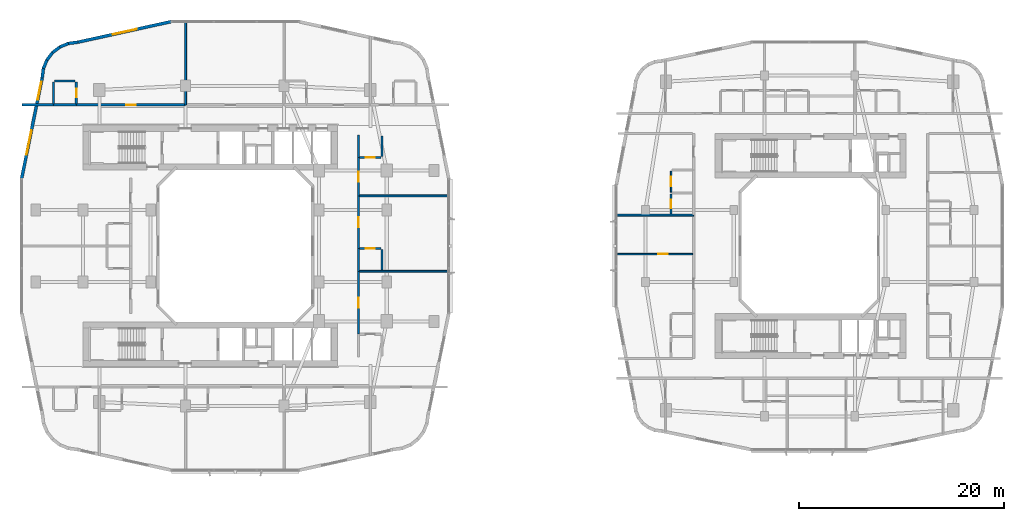
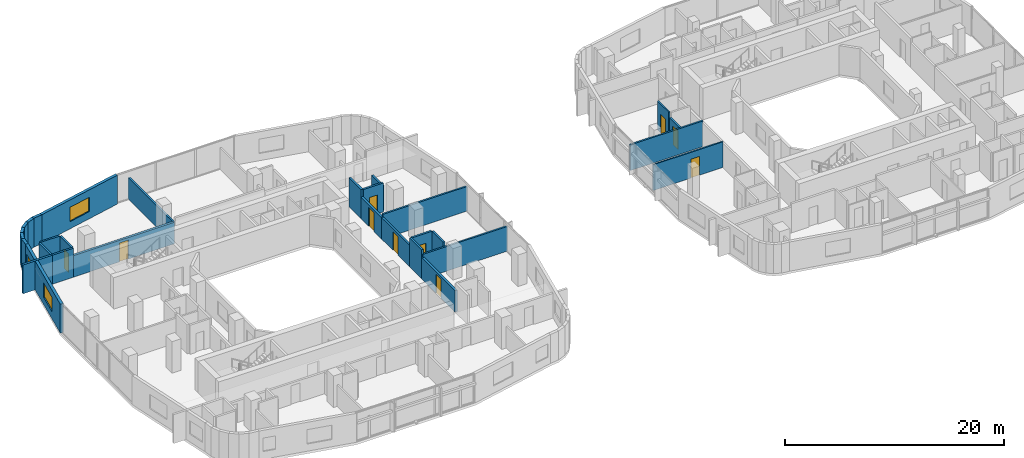
# One storey, part 16 of 27: 30 walls, 10 doors, 3 windows, 13 openings.
"""IFC4 building model written with IfcOpenShell, lengths in metres."""

import ifcopenshell
import ifcopenshell.guid

model = None  # the IFC model being written
_history = None  # IfcOwnerHistory: only IFC2X3 demands one
_inside = {}  # id of a spatial element -> (the spatial element, [elements in it])
_under = {}  # id of a project, library or spatial element -> (it, [spatial elements below it])
_declared = {}  # id of a project -> (the project, [libraries it declares])
_typed = {}  # id of a type object -> (the type object, [elements of that type])
_made_of = {}  # id of a material, layer set ... -> (it, [elements and type objects made of it])


def new_model(schema):
    """Start an empty IFC model of exactly this schema.

    Asked for "IFC4X3", IfcOpenShell would pick the latest addendum, in which some entities
    have other attributes; the version numbers below select the first issue.
    IFC2X3 requires an IfcOwnerHistory on every rooted entity: one is made here for all.
    """
    global model, _history
    if schema == "IFC4X3":
        model = ifcopenshell.file(schema_version=(4, 3, 0, 0))
    else:
        model = ifcopenshell.file(schema=schema)
    _inside.clear()
    _under.clear()
    _declared.clear()
    _typed.clear()
    _made_of.clear()
    _history = None
    if model.schema == "IFC2X3":
        org = make("IfcOrganization", Name="unknown")
        user = make(
            "IfcPersonAndOrganization",
            ThePerson=make("IfcPerson", FamilyName="unknown"),
            TheOrganization=org,
        )
        app = make(
            "IfcApplication",
            ApplicationDeveloper=org,
            Version="unknown",
            ApplicationFullName="unknown",
            ApplicationIdentifier="unknown",
        )
        _history = make(
            "IfcOwnerHistory",
            OwningUser=user,
            OwningApplication=app,
            ChangeAction="ADDED",
            CreationDate=0,
        )
    return model


def make(cls, **values):
    """One entity of the class cls with the attributes given. An attribute that is None is left unset."""
    return model.create_entity(
        cls, **{name: value for name, value in values.items() if value is not None}
    )


def rooted(cls, **values):
    """An entity with a GlobalId (a new one), such as an element, a storey or a relation."""
    return make(cls, GlobalId=ifcopenshell.guid.new(), OwnerHistory=_history, **values)


def si_unit(unit_type, name, prefix=None):
    """IfcSIUnit, for example si_unit("LENGTHUNIT", "METRE", prefix="MILLI")."""
    return make("IfcSIUnit", UnitType=unit_type, Prefix=prefix, Name=name)


def derived_unit(unit_type, elements):
    """IfcDerivedUnit: a product of units, each with its exponent."""
    return make(
        "IfcDerivedUnit",
        Elements=[
            make("IfcDerivedUnitElement", Unit=unit, Exponent=power)
            for unit, power in elements
        ],
        UnitType=unit_type,
    )


def assignment(units):
    """IfcUnitAssignment: the units of a project."""
    return None if units is None else make("IfcUnitAssignment", Units=units)


def point(xyz):
    """IfcCartesianPoint."""
    return None if xyz is None else make("IfcCartesianPoint", Coordinates=xyz)


def direction(xyz):
    """IfcDirection."""
    return None if xyz is None else make("IfcDirection", DirectionRatios=xyz)


def frame(location, z_axis=None, x_axis=None):
    """IfcAxis2Placement3D, a coordinate frame: its origin and axes. An axis left out is left unset."""
    return make(
        "IfcAxis2Placement3D",
        Location=point(location),
        Axis=direction(z_axis),
        RefDirection=direction(x_axis),
    )


def frame_2d(location, x_axis=None):
    """IfcAxis2Placement2D, a coordinate frame in the plane: its origin and x axis."""
    return make(
        "IfcAxis2Placement2D", Location=point(location), RefDirection=direction(x_axis)
    )


def origin():
    """The frame at (0, 0, 0) with its axes left unset."""
    return frame((0.0, 0.0, 0.0))


def place(relative_to, where):
    """IfcLocalPlacement: puts the frame where relative to a parent placement (None: the world)."""
    return make(
        "IfcLocalPlacement", PlacementRelTo=relative_to, RelativePlacement=where
    )


def context(
    kind, dimensions, precision=None, world=None, true_north=None, identifier=None
):
    """IfcGeometricRepresentationContext, for example the 3D "Model" context."""
    return make(
        "IfcGeometricRepresentationContext",
        ContextIdentifier=identifier,
        ContextType=kind,
        CoordinateSpaceDimension=dimensions,
        Precision=precision,
        WorldCoordinateSystem=world,
        TrueNorth=true_north,
    )


def subcontext(parent, identifier, kind, view, scale=None):
    """IfcGeometricRepresentationSubContext, for example "Body" below "Model"."""
    return make(
        "IfcGeometricRepresentationSubContext",
        ContextIdentifier=identifier,
        ContextType=kind,
        ParentContext=parent,
        TargetScale=scale,
        TargetView=view,
    )


def project(units=None, contexts=None):
    """IfcProject with its units and contexts."""
    return rooted(
        "IfcProject",
        Name="project",
        RepresentationContexts=contexts,
        UnitsInContext=assignment(units),
    )


def spatial(cls, under=None, at=None, **own):
    """A site, building, storey or space (cls), placed at a placement, below another one or the project."""
    s = rooted(cls, ObjectPlacement=at, **own)
    if under is not None:
        _under.setdefault(under.id(), (under, []))[1].append(s)
    return s


def profile(cls, at=None, kind="AREA", **sizes):
    """A parametric profile (cls). Its sizes go by their IFC names, for example OverallWidth=200.0."""
    return make(cls, ProfileType=kind, Position=at, **sizes)


def rectangle(**sizes):
    """IfcRectangleProfileDef."""
    return profile("IfcRectangleProfileDef", **sizes)


def extrude(swept, where, along, depth):
    """IfcExtrudedAreaSolid: the profile swept, set in the frame where, extruded along a direction by depth."""
    return make(
        "IfcExtrudedAreaSolid",
        SweptArea=swept,
        Position=where,
        ExtrudedDirection=direction(along),
        Depth=depth,
    )


def shape(context_of_items, identifier, shape_type, items):
    """IfcShapeRepresentation: the items that make up one representation, for example the "Body"."""
    return make(
        "IfcShapeRepresentation",
        ContextOfItems=context_of_items,
        RepresentationIdentifier=identifier,
        RepresentationType=shape_type,
        Items=items,
    )


def material(Name=None, Category=None):
    """IfcMaterial."""
    return make("IfcMaterial", Name=Name, Category=Category)


def layer(
    of_material, thickness, ventilated=None, Name=None, Category=None, Priority=None
):
    """IfcMaterialLayer: one layer of a wall or slab, of a material (None: an air gap)."""
    return make(
        "IfcMaterialLayer",
        Material=of_material,
        LayerThickness=thickness,
        IsVentilated=ventilated,
        Name=Name,
        Category=Category,
        Priority=Priority,
    )


def layer_set(layers, Name=None):
    """IfcMaterialLayerSet."""
    return make("IfcMaterialLayerSet", MaterialLayers=layers, LayerSetName=Name)


def made_of(thing, what):
    """Note that an element or type object is made of a material, layer set ...; save() writes the relation."""
    if what is not None:
        _made_of.setdefault(what.id(), (what, []))[1].append(thing)
    return thing


def type_object(cls, material=None, **own):
    """A type object (cls), such as IfcWallType, which elements share."""
    return made_of(rooted(cls, **own), material)


def element(
    cls,
    number,
    at=None,
    inside=None,
    cuts=None,
    type_object=None,
    material=None,
    context=None,
    identifier="Body",
    shape_type=None,
    held_by="IfcProductDefinitionShape",
    body=None,
    shapes=None,
    **own,
):
    """One element of the class cls, such as IfcWall. Its Tag is "e" and its number.

    at: its placement. inside: the storey or other place that contains it. cuts: it is an
    opening in that element (IfcRelVoidsElement). A single representation is given by context,
    identifier, shape_type and body (its items); several are given by shapes. held_by: the class
    of the entity that holds the representations. save() writes the other relations.
    """
    e = rooted(cls, Tag="e%d" % number, ObjectPlacement=at, **own)
    if body is not None:
        shapes = [shape(context, identifier, shape_type, body)]
    if shapes is not None:
        e.Representation = make(held_by, Representations=shapes)
    if inside is not None:
        _inside.setdefault(inside.id(), (inside, []))[1].append(e)
    if cuts is not None:
        rooted(
            "IfcRelVoidsElement", RelatingBuildingElement=cuts, RelatedOpeningElement=e
        )
    if type_object is not None:
        _typed.setdefault(type_object.id(), (type_object, []))[1].append(e)
    return made_of(e, material)


def fill(opening, filler):
    """IfcRelFillsElement: the door or window that sits in an opening."""
    return rooted(
        "IfcRelFillsElement",
        RelatingOpeningElement=opening,
        RelatedBuildingElement=filler,
    )


def aggregate(whole, parts):
    """IfcRelAggregates: a whole, such as a stair, and the parts it consists of."""
    return rooted("IfcRelAggregates", RelatingObject=whole, RelatedObjects=parts)


def save(model, path):
    """Write the relations noted so far, then the file.

    IfcRelAggregates (storeys below a building ...), IfcRelContainedInSpatialStructure (elements
    in a storey), IfcRelDefinesByType, IfcRelAssociatesMaterial and IfcRelDeclares: one each for
    every whole, place, type object, material and project.
    """
    for whole, parts in _under.values():
        aggregate(whole, parts)
    for where, things in _inside.values():
        rooted(
            "IfcRelContainedInSpatialStructure",
            RelatedElements=things,
            RelatingStructure=where,
        )
    for kind, things in _typed.values():
        rooted("IfcRelDefinesByType", RelatedObjects=things, RelatingType=kind)
    for what, things in _made_of.values():
        rooted("IfcRelAssociatesMaterial", RelatedObjects=things, RelatingMaterial=what)
    for by, libraries in _declared.values():
        rooted("IfcRelDeclares", RelatingContext=by, RelatedDefinitions=libraries)
    model.write(path)


model = new_model("IFC4")

# Units and contexts
model_context = context("Model", 3, precision=1e-05, world=origin(), true_north=direction((0.0, 1.0)))
body_context = subcontext(model_context, "Body", "Model", "MODEL_VIEW")
ifc_project = project(units=[si_unit("LENGTHUNIT", "METRE"), si_unit("AREAUNIT", "SQUARE_METRE"), si_unit("VOLUMEUNIT", "CUBIC_METRE"), si_unit("PLANEANGLEUNIT", "RADIAN"), si_unit("MASSUNIT", "GRAM", prefix="KILO"), derived_unit("THERMALTRANSMITTANCEUNIT", [(si_unit("POWERUNIT", "WATT"), 1), (si_unit("LENGTHUNIT", "METRE"), -2), (si_unit("THERMODYNAMICTEMPERATUREUNIT", "KELVIN"), -1)])], contexts=[model_context])

# Site, building, storey
site_placement = place(None, origin())
site = spatial("IfcSite", under=ifc_project, at=site_placement, CompositionType="ELEMENT")
building_placement = place(site_placement, origin())
building = spatial("IfcBuilding", under=site, at=building_placement, Name="Kivonza Crest Hotel", CompositionType="ELEMENT")
storey_placement = place(building_placement, frame((0.0, 0.0, 34.5)))
storey = spatial("IfcBuildingStorey", under=building, at=storey_placement, Name="L08", CompositionType="ELEMENT", Elevation=34.5)

# Walls
ifc_material_1 = material(Name="High-density acoustic masonry inter-tenancy wall", Category="masonry")
ifc_layer_1 = layer(ifc_material_1, 0.179931640625)
ifc_layer_set_1 = layer_set([ifc_layer_1], Name="High-density acoustic masonry inter-tenancy wall")
wall_type_1 = type_object("IfcWallType", Name="WL-ACOU-180", PredefinedType="SOLIDWALL", material=ifc_layer_set_1)
wall_1_placement = place(storey_placement, frame((16.199951171875, 38.75, 0.0), z_axis=(0.0, 0.0, 1.0), x_axis=(0.0, 1.0, 0.0)))
element("IfcWall", 1, at=wall_1_placement, inside=storey, type_object=wall_type_1, Name="L08 interior partition WA-L08-T1N-DIV1", PredefinedType="SOLIDWALL", context=body_context, shape_type="SweptSolid", body=[
    extrude(rectangle(XDim=8.18994140625, YDim=0.179931640625, at=frame_2d((4.094970703125, 0.0))), origin(), (0.0, 0.0, 1.0), 2.39501953125),
])
for number, where, z_axis, x_axis, name in (
    (2, (33.050048828125, 22.533935546875, 0.0), (0.0, 0.0, 1.0), (1.0, 0.0, 0.0), "L08 interior partition WA-L08-T1E-DIV1"),
    (3, (33.050048828125, 29.8779296875, 0.0), (0.0, 0.0, 1.0), (1.0, 0.0, 0.0), "L08 interior partition WA-L08-T1E-DIV2"),
):
    element("IfcWall", number, at=place(storey_placement, frame(where, z_axis=z_axis, x_axis=x_axis)), inside=storey, type_object=wall_type_1, Name=name, PredefinedType="SOLIDWALL", context=body_context, shape_type="SweptSolid", body=[
        extrude(rectangle(XDim=8.889892578125, YDim=0.179931640625, at=frame_2d((4.44482421875, 0.0))), origin(), (0.0, 0.0, 1.0), 2.7451171875),
    ])
wall_2_placement = place(storey_placement, frame((58.06005859375, 28.0, 0.0), z_axis=(0.0, 0.0, 1.0), x_axis=(1.0, 0.0, 0.0)))
element("IfcWall", 4, at=wall_2_placement, inside=storey, type_object=wall_type_1, Name="L08 interior partition WA-L08-T2W-DIV1", PredefinedType="SOLIDWALL", context=body_context, shape_type="SweptSolid", body=[
    extrude(rectangle(XDim=7.639892578125, YDim=0.179931640625, at=frame_2d((3.81982421875, 0.0))), origin(), (0.0, 0.0, 1.0), 2.864990234375),
])
ifc_material_2 = material(Name="Autoclaved aerated concrete blockwork", Category="masonry")
ifc_layer_2 = layer(ifc_material_2, 0.219970703125)
ifc_layer_set_2 = layer_set([ifc_layer_2], Name="Autoclaved aerated concrete blockwork")
wall_type_2 = type_object("IfcWallType", Name="WL-ACOU-220", PredefinedType="SOLIDWALL", material=ifc_layer_set_2)
wall_3_placement = place(storey_placement, frame((0.239990234375, 38.75, 0.0), z_axis=(0.0, 0.0, 1.0), x_axis=(1.0, 0.0, 0.0)))
element("IfcWall", 5, at=wall_3_placement, inside=storey, type_object=wall_type_2, Name="L08 interior partition WA-L08-N01-XCORR", PredefinedType="SOLIDWALL", context=body_context, shape_type="SweptSolid", body=[
    extrude(rectangle(XDim=3.110107421875, YDim=0.219970703125, at=frame_2d((1.55517578125, 0.0))), origin(), (0.0, 0.0, 1.0), 3.219970703125),
])
wall_4_placement = place(storey_placement, frame((3.35009765625, 38.75, 0.0), z_axis=(0.0, 0.0, 1.0), x_axis=(1.0, 0.0, 0.0)))
element("IfcWall", 6, at=wall_4_placement, inside=storey, type_object=wall_type_2, Name="L08 interior partition WA-L08-N01-BCORR", PredefinedType="SOLIDWALL", context=body_context, shape_type="SweptSolid", body=[
    extrude(rectangle(XDim=2.199951171875, YDim=0.219970703125, at=frame_2d((1.10009765625, 0.0))), origin(), (0.0, 0.0, 1.0), 3.219970703125),
])

# Wall, opening, door
wall_5_placement = place(storey_placement, frame((5.550048828125, 38.75, 0.0), z_axis=(0.0, 0.0, 1.0), x_axis=(1.0, 0.0, 0.0)))
wall_5 = element("IfcWall", 7, at=wall_5_placement, inside=storey, type_object=wall_type_2, Name="L08 interior partition WA-L08-N01-MCORR", PredefinedType="SOLIDWALL", context=body_context, shape_type="SweptSolid", body=[
    extrude(rectangle(XDim=10.64990234375, YDim=0.219970703125, at=frame_2d((5.324951171875, 0.0))), origin(), (0.0, 0.0, 1.0), 2.39501953125),
])
opening_1_placement = place(wall_5_placement, frame((4.85009765625, 0.0, 0.0)))
opening_1 = element("IfcOpeningElement", 8, at=opening_1_placement, cuts=wall_5, Name="Opening DU-60", PredefinedType="OPENING", context=body_context, shape_type="SweptSolid", body=[
    extrude(rectangle(XDim=0.949951171875, YDim=2.10009765625, at=frame_2d((0.47509765625, 1.050048828125))), frame((0.0, 0.1201171875, 0.0), z_axis=(0.0, -1.0, 0.0), x_axis=(1.0, 0.0, 0.0)), (0.0, 0.0, 1.0), 0.239990234375),
])
ifc_material_3 = material(Name="Hardwood timber oak", Category="wood")
door_type_1 = type_object("IfcDoorType", Name="DR-UNIT-950", OperationType="NOTDEFINED", PredefinedType="DOOR", material=ifc_material_3)
door_1_placement = place(opening_1_placement, origin())
door_1 = element("IfcDoor", 9, at=door_1_placement, inside=storey, type_object=door_type_1, Name="L08 N01 guest unit entrance fire door", OperationType="SINGLE_SWING_LEFT", OverallHeight=2.10009765625, OverallWidth=0.949951171875, PredefinedType="DOOR", context=body_context, shape_type="SweptSolid", body=[
    extrude(rectangle(XDim=0.949951171875, YDim=2.10009765625, at=frame_2d((0.47509765625, 1.050048828125))), frame((0.0, 0.02490234375, 0.0), z_axis=(0.0, -1.0, 0.0), x_axis=(1.0, 0.0, 0.0)), (0.0, 0.0, 1.0), 0.050048828125),
])
fill(opening_1, door_1)

wall_6_placement = place(storey_placement, frame((33.050048828125, 16.39990234375, 0.0), z_axis=(0.0, 0.0, 1.0), x_axis=(0.0, 1.0, 0.0)))
wall_6 = element("IfcWall", 10, at=wall_6_placement, inside=storey, type_object=wall_type_2, Name="L08 interior partition WA-L08-E10-MCORR", PredefinedType="SOLIDWALL", context=body_context, shape_type="SweptSolid", body=[
    extrude(rectangle(XDim=6.134033203125, YDim=0.219970703125, at=frame_2d((3.06689453125, 0.0))), origin(), (0.0, 0.0, 1.0), 2.39501953125),
])
opening_2_placement = place(wall_6_placement, frame((2.592041015625, 0.0, 0.0)))
opening_2 = element("IfcOpeningElement", 11, at=opening_2_placement, cuts=wall_6, Name="Opening DU-60", PredefinedType="OPENING", context=body_context, shape_type="SweptSolid", body=[
    extrude(rectangle(XDim=0.949951171875, YDim=2.10009765625, at=frame_2d((0.47509765625, 1.050048828125))), frame((0.0, 0.1201171875, 0.0), z_axis=(0.0, -1.0, 0.0), x_axis=(1.0, 0.0, 0.0)), (0.0, 0.0, 1.0), 0.239990234375),
])
door_2_placement = place(opening_2_placement, frame((0.949951171875, 0.0, 0.0), z_axis=(0.0, 0.0, 1.0), x_axis=(-1.0, 0.0, 0.0)))
door_2 = element("IfcDoor", 12, at=door_2_placement, inside=storey, type_object=door_type_1, Name="L08 E10 guest unit entrance fire door", OperationType="SINGLE_SWING_RIGHT", OverallHeight=2.10009765625, OverallWidth=0.949951171875, PredefinedType="DOOR", context=body_context, shape_type="SweptSolid", body=[
    extrude(rectangle(XDim=0.949951171875, YDim=2.10009765625, at=frame_2d((0.47509765625, 1.050048828125))), frame((0.0, 0.02490234375, 0.0), z_axis=(0.0, -1.0, 0.0), x_axis=(1.0, 0.0, 0.0)), (0.0, 0.0, 1.0), 0.050048828125),
])
fill(opening_2, door_2)

# Wall
wall_7_placement = place(storey_placement, frame((33.050048828125, 22.533935546875, 0.0), z_axis=(0.0, 0.0, 1.0), x_axis=(0.0, 1.0, 0.0)))
element("IfcWall", 13, at=wall_7_placement, inside=storey, type_object=wall_type_2, Name="L08 interior partition WA-L08-E11-BCORR", PredefinedType="SOLIDWALL", context=body_context, shape_type="SweptSolid", body=[
    extrude(rectangle(XDim=2.199951171875, YDim=0.219970703125, at=frame_2d((1.10009765625, 0.0))), origin(), (0.0, 0.0, 1.0), 3.219970703125),
])

# Wall, opening, door
wall_8_placement = place(storey_placement, frame((33.050048828125, 24.73388671875, 0.0), z_axis=(0.0, 0.0, 1.0), x_axis=(0.0, 1.0, 0.0)))
wall_8 = element("IfcWall", 14, at=wall_8_placement, inside=storey, type_object=wall_type_2, Name="L08 interior partition WA-L08-E11-MCORR", PredefinedType="SOLIDWALL", context=body_context, shape_type="SweptSolid", body=[
    extrude(rectangle(XDim=5.14404296875, YDim=0.219970703125, at=frame_2d((2.572021484375, 0.0))), origin(), (0.0, 0.0, 1.0), 2.39501953125),
])
opening_3_placement = place(wall_8_placement, frame((2.096923828125, 0.0, 0.0)))
opening_3 = element("IfcOpeningElement", 15, at=opening_3_placement, cuts=wall_8, Name="Opening DU-60", PredefinedType="OPENING", context=body_context, shape_type="SweptSolid", body=[
    extrude(rectangle(XDim=0.949951171875, YDim=2.10009765625, at=frame_2d((0.47509765625, 1.050048828125))), frame((0.0, 0.1201171875, 0.0), z_axis=(0.0, -1.0, 0.0), x_axis=(1.0, 0.0, 0.0)), (0.0, 0.0, 1.0), 0.239990234375),
])
door_3_placement = place(opening_3_placement, frame((0.949951171875, 0.0, 0.0), z_axis=(0.0, 0.0, 1.0), x_axis=(-1.0, 0.0, 0.0)))
door_3 = element("IfcDoor", 16, at=door_3_placement, inside=storey, type_object=door_type_1, Name="L08 E11 guest unit entrance fire door", OperationType="SINGLE_SWING_LEFT", OverallHeight=2.10009765625, OverallWidth=0.949951171875, PredefinedType="DOOR", context=body_context, shape_type="SweptSolid", body=[
    extrude(rectangle(XDim=0.949951171875, YDim=2.10009765625, at=frame_2d((0.47509765625, 1.050048828125))), frame((0.0, 0.02490234375, 0.0), z_axis=(0.0, -1.0, 0.0), x_axis=(1.0, 0.0, 0.0)), (0.0, 0.0, 1.0), 0.050048828125),
])
fill(opening_3, door_3)

# Wall
wall_9_placement = place(storey_placement, frame((33.050048828125, 33.60009765625, 0.0), z_axis=(0.0, 0.0, 1.0), x_axis=(0.0, 1.0, 0.0)))
element("IfcWall", 17, at=wall_9_placement, inside=storey, type_object=wall_type_2, Name="L08 interior partition WA-L08-E12-BCORR", PredefinedType="SOLIDWALL", context=body_context, shape_type="SweptSolid", body=[
    extrude(rectangle(XDim=2.199951171875, YDim=0.219970703125, at=frame_2d((1.10009765625, 0.0))), origin(), (0.0, 0.0, 1.0), 3.219970703125),
])

# Wall, opening, door
wall_10_placement = place(storey_placement, frame((33.050048828125, 29.8779296875, 0.0), z_axis=(0.0, 0.0, 1.0), x_axis=(0.0, 1.0, 0.0)))
wall_10 = element("IfcWall", 18, at=wall_10_placement, inside=storey, type_object=wall_type_2, Name="L08 interior partition WA-L08-E12-MCORR", PredefinedType="SOLIDWALL", context=body_context, shape_type="SweptSolid", body=[
    extrude(rectangle(XDim=3.72216796875, YDim=0.219970703125, at=frame_2d((1.861083984375, 0.0))), origin(), (0.0, 0.0, 1.0), 2.39501953125),
])
opening_4_placement = place(wall_10_placement, frame((1.385986328125, 0.0, 0.0)))
opening_4 = element("IfcOpeningElement", 19, at=opening_4_placement, cuts=wall_10, Name="Opening DU-60", PredefinedType="OPENING", context=body_context, shape_type="SweptSolid", body=[
    extrude(rectangle(XDim=0.949951171875, YDim=2.10009765625, at=frame_2d((0.47509765625, 1.050048828125))), frame((0.0, 0.1201171875, 0.0), z_axis=(0.0, -1.0, 0.0), x_axis=(1.0, 0.0, 0.0)), (0.0, 0.0, 1.0), 0.239990234375),
])
door_4_placement = place(opening_4_placement, frame((0.949951171875, 0.0, 0.0), z_axis=(0.0, 0.0, 1.0), x_axis=(-1.0, 0.0, 0.0)))
door_4 = element("IfcDoor", 20, at=door_4_placement, inside=storey, type_object=door_type_1, Name="L08 E12 guest unit entrance fire door", OperationType="SINGLE_SWING_RIGHT", OverallHeight=2.10009765625, OverallWidth=0.949951171875, PredefinedType="DOOR", context=body_context, shape_type="SweptSolid", body=[
    extrude(rectangle(XDim=0.949951171875, YDim=2.10009765625, at=frame_2d((0.47509765625, 1.050048828125))), frame((0.0, 0.02490234375, 0.0), z_axis=(0.0, -1.0, 0.0), x_axis=(1.0, 0.0, 0.0)), (0.0, 0.0, 1.0), 0.050048828125),
])
fill(opening_4, door_4)

# Wall, opening, window
ifc_material_4 = material(Name="Precast concrete C40/50", Category="concrete")
ifc_layer_3 = layer(ifc_material_4, 0.300048828125)
ifc_layer_set_3 = layer_set([ifc_layer_3], Name="Precast concrete C40/50")
wall_type_3 = type_object("IfcWallType", Name="WL-EXT-300", PredefinedType="STANDARD", material=ifc_layer_set_3)
wall_11_placement = place(storey_placement, frame((14.837890625, 46.865966796875, 0.0), z_axis=(0.0, 0.0, 1.0), x_axis=(-0.9765437942, -0.215318875183, 0.0)))
wall_11 = element("IfcWall", 21, at=wall_11_placement, inside=storey, type_object=wall_type_3, Name="L08 T1 exterior insulated wall 27", PredefinedType="STANDARD", context=body_context, shape_type="SweptSolid", body=[
    extrude(rectangle(XDim=9.353271484375, YDim=0.300048828125, at=frame_2d((4.6767578125, 0.0))), origin(), (0.0, 0.0, 1.0), 3.219970703125),
])
opening_5_placement = place(wall_11_placement, frame((3.47705078125, 0.0, 0.800048828125)))
opening_5 = element("IfcOpeningElement", 22, at=opening_5_placement, cuts=wall_11, Name="Opening WN-05", PredefinedType="OPENING", context=body_context, shape_type="SweptSolid", body=[
    extrude(rectangle(XDim=2.39990234375, YDim=1.60009765625, at=frame_2d((1.199951171875, 0.800048828125))), frame((0.0, 0.16015625, 0.0), z_axis=(0.0, -1.0, 0.0), x_axis=(1.0, 0.0, 0.0)), (0.0, 0.0, 1.0), 0.320068359375),
])
ifc_material_5 = material(Name="Thermally broken bronze aluminium and low-E double glazing", Category="aluminium")
window_type_1 = type_object("IfcWindowType", Name="WN-240x160", PartitioningType="TRIPLE_PANEL_VERTICAL", PredefinedType="WINDOW", material=ifc_material_5)
window_1_placement = place(opening_5_placement, origin())
window_1 = element("IfcWindow", 23, at=window_1_placement, inside=storey, type_object=window_type_1, Name="L08 T1 facade window 27", OverallHeight=1.60009765625, OverallWidth=2.39990234375, PartitioningType="SINGLE_PANEL", PredefinedType="WINDOW", context=body_context, shape_type="SweptSolid", body=[
    extrude(rectangle(XDim=2.39990234375, YDim=1.60009765625, at=frame_2d((1.199951171875, 0.800048828125))), frame((0.0, 0.030029296875, 0.0), z_axis=(0.0, -1.0, 0.0), x_axis=(1.0, 0.0, 0.0)), (0.0, 0.0, 1.0), 0.06005859375),
])
fill(opening_5, window_1)

# Walls
wall_12_placement = place(storey_placement, frame((5.7080078125, 44.85205078125, 0.0), z_axis=(0.0, 0.0, 1.0), x_axis=(-0.991359246108, -0.131174864804, 0.0)))
element("IfcWall", 24, at=wall_12_placement, inside=storey, type_object=wall_type_3, Name="L08 T1 exterior insulated wall 28", PredefinedType="STANDARD", context=body_context, shape_type="SweptSolid", body=[
    extrude(rectangle(XDim=0.93798828125, YDim=0.300048828125, at=frame_2d((0.468994140625, 0.0))), origin(), (0.0, 0.0, 1.0), 3.219970703125),
])
wall_13_placement = place(storey_placement, frame((4.827880859375, 44.748046875, 0.0), z_axis=(0.0, 0.0, 1.0), x_axis=(-0.923982547689, -0.382434636986, 0.0)))
element("IfcWall", 25, at=wall_13_placement, inside=storey, type_object=wall_type_3, Name="L08 T1 exterior insulated wall 29", PredefinedType="STANDARD", context=body_context, shape_type="SweptSolid", body=[
    extrude(rectangle(XDim=0.954345703125, YDim=0.300048828125, at=frame_2d((0.47705078125, 0.0))), origin(), (0.0, 0.0, 1.0), 3.219970703125),
])
for number, where, z_axis, x_axis, name in (
    (26, (3.990966796875, 44.4140625, 0.0), (0.0, 0.0, 1.0), (-0.793668068435, -0.608351047625, 0.0), "L08 T1 exterior insulated wall 30"),
    (27, (3.26806640625, 43.875, 0.0), (0.0, 0.0, 1.0), (-0.608351047625, -0.793668068435, 0.0), "L08 T1 exterior insulated wall 31"),
):
    element("IfcWall", number, at=place(storey_placement, frame(where, z_axis=z_axis, x_axis=x_axis)), inside=storey, type_object=wall_type_3, Name=name, PredefinedType="STANDARD", context=body_context, shape_type="SweptSolid", body=[
        extrude(rectangle(XDim=0.955078125, YDim=0.300048828125, at=frame_2d((0.4775390625, 0.0))), origin(), (0.0, 0.0, 1.0), 3.219970703125),
    ])
wall_14_placement = place(storey_placement, frame((2.7109375, 43.166015625, 0.0), z_axis=(0.0, 0.0, 1.0), x_axis=(-0.382344263057, -0.924019948111, 0.0)))
element("IfcWall", 28, at=wall_14_placement, inside=storey, type_object=wall_type_3, Name="L08 T1 exterior insulated wall 32", PredefinedType="STANDARD", context=body_context, shape_type="SweptSolid", body=[
    extrude(rectangle(XDim=0.95458984375, YDim=0.300048828125, at=frame_2d((0.477294921875, 0.0))), origin(), (0.0, 0.0, 1.0), 3.219970703125),
])
wall_15_placement = place(storey_placement, frame((2.35498046875, 42.3369140625, 0.0), z_axis=(0.0, 0.0, 1.0), x_axis=(-0.130454512571, -0.991454295543, 0.0)))
element("IfcWall", 29, at=wall_15_placement, inside=storey, type_object=wall_type_3, Name="L08 T1 exterior insulated wall 33", PredefinedType="STANDARD", context=body_context, shape_type="SweptSolid", body=[
    extrude(rectangle(XDim=0.97314453125, YDim=0.300048828125, at=frame_2d((0.486572265625, 0.0))), origin(), (0.0, 0.0, 1.0), 3.219970703125),
])

# Wall, openings, windows
wall_16_placement = place(storey_placement, frame((2.22900390625, 41.3779296875, 0.0), z_axis=(0.0, 0.0, 1.0), x_axis=(-0.199990901713, -0.979797754249, 0.0)))
wall_16 = element("IfcWall", 30, at=wall_16_placement, inside=storey, type_object=wall_type_3, Name="L08 T1 exterior insulated wall 34", PredefinedType="STANDARD", context=body_context, shape_type="SweptSolid", body=[
    extrude(rectangle(XDim=10.065185546875, YDim=0.300048828125, at=frame_2d((5.03271484375, 0.0))), origin(), (0.0, 0.0, 1.0), 3.219970703125),
])
opening_6_placement = place(wall_16_placement, frame((0.3779296875, 0.0, 0.85009765625)))
opening_6 = element("IfcOpeningElement", 31, at=opening_6_placement, cuts=wall_16, Name="Opening WN-03", PredefinedType="OPENING", context=body_context, shape_type="SweptSolid", body=[
    extrude(rectangle(XDim=1.800048828125, YDim=1.5, at=frame_2d((0.89990234375, 0.75))), frame((0.0, 0.16015625, 0.0), z_axis=(0.0, -1.0, 0.0), x_axis=(1.0, 0.0, 0.0)), (0.0, 0.0, 1.0), 0.320068359375),
])
opening_7_placement = place(wall_16_placement, frame((5.236083984375, 0.0, 0.800048828125)))
opening_7 = element("IfcOpeningElement", 32, at=opening_7_placement, cuts=wall_16, Name="Opening WN-05", PredefinedType="OPENING", context=body_context, shape_type="SweptSolid", body=[
    extrude(rectangle(XDim=2.39990234375, YDim=1.60009765625, at=frame_2d((1.199951171875, 0.800048828125))), frame((0.0, 0.16015625, 0.0), z_axis=(0.0, -1.0, 0.0), x_axis=(1.0, 0.0, 0.0)), (0.0, 0.0, 1.0), 0.320068359375),
])
window_type_2 = type_object("IfcWindowType", Name="WN-180x150", PartitioningType="DOUBLE_PANEL_VERTICAL", PredefinedType="WINDOW", material=ifc_material_5)
window_2_placement = place(opening_6_placement, origin())
window_2 = element("IfcWindow", 33, at=window_2_placement, inside=storey, type_object=window_type_2, Name="L08 T1 facade window 34 bay 1", OverallHeight=1.5, OverallWidth=1.800048828125, PartitioningType="SINGLE_PANEL", PredefinedType="WINDOW", context=body_context, shape_type="SweptSolid", body=[
    extrude(rectangle(XDim=1.800048828125, YDim=1.5, at=frame_2d((0.89990234375, 0.75))), frame((0.0, 0.030029296875, 0.0), z_axis=(0.0, -1.0, 0.0), x_axis=(1.0, 0.0, 0.0)), (0.0, 0.0, 1.0), 0.06005859375),
])
fill(opening_6, window_2)
window_3_placement = place(opening_7_placement, origin())
window_3 = element("IfcWindow", 34, at=window_3_placement, inside=storey, type_object=window_type_1, Name="L08 T1 facade window 34 bay 2", OverallHeight=1.60009765625, OverallWidth=2.39990234375, PartitioningType="SINGLE_PANEL", PredefinedType="WINDOW", context=body_context, shape_type="SweptSolid", body=[
    extrude(rectangle(XDim=2.39990234375, YDim=1.60009765625, at=frame_2d((1.199951171875, 0.800048828125))), frame((0.0, 0.030029296875, 0.0), z_axis=(0.0, -1.0, 0.0), x_axis=(1.0, 0.0, 0.0)), (0.0, 0.0, 1.0), 0.06005859375),
])
fill(opening_7, window_3)

# Wall, opening, door
ifc_material_6 = material(Name="Twin-stud acoustic gypsum board partition", Category="gypsum")
ifc_layer_4 = layer(ifc_material_6, 0.14990234375)
ifc_layer_set_4 = layer_set([ifc_layer_4], Name="Twin-stud acoustic gypsum board partition")
wall_type_4 = type_object("IfcWallType", Name="WL-PART-150", PredefinedType="PARTITIONING", material=ifc_layer_set_4)
wall_17_placement = place(storey_placement, frame((58.260009765625, 24.199951171875, 0.0), z_axis=(0.0, 0.0, 1.0), x_axis=(1.0, 0.0, 0.0)))
wall_17 = element("IfcWall", 35, at=wall_17_placement, inside=storey, type_object=wall_type_4, Name="L08 interior partition WP-L08-A06-BD1", PredefinedType="PARTITIONING", context=body_context, shape_type="SweptSolid", body=[
    extrude(rectangle(XDim=7.340087890625, YDim=0.14990234375, at=frame_2d((3.669921875, 0.0))), origin(), (0.0, 0.0, 1.0), 2.864990234375),
])
opening_8_placement = place(wall_17_placement, frame((3.989990234375, 0.0, 0.0)))
opening_8 = element("IfcOpeningElement", 36, at=opening_8_placement, cuts=wall_17, Name="Opening DI-90", PredefinedType="OPENING", context=body_context, shape_type="SweptSolid", body=[
    extrude(rectangle(XDim=0.89990234375, YDim=2.10009765625, at=frame_2d((0.449951171875, 1.050048828125))), frame((0.0, 0.0849609375, 0.0), z_axis=(0.0, -1.0, 0.0), x_axis=(1.0, 0.0, 0.0)), (0.0, 0.0, 1.0), 0.169921875),
])
door_type_2 = type_object("IfcDoorType", Name="DR-INT-900", OperationType="NOTDEFINED", PredefinedType="DOOR", material=ifc_material_3)
door_5_placement = place(opening_8_placement, origin())
door_5 = element("IfcDoor", 37, at=door_5_placement, inside=storey, type_object=door_type_2, Name="L08 A06 bedroom door", OperationType="SINGLE_SWING_LEFT", OverallHeight=2.10009765625, OverallWidth=0.89990234375, PredefinedType="DOOR", context=body_context, shape_type="SweptSolid", body=[
    extrude(rectangle(XDim=0.89990234375, YDim=2.10009765625, at=frame_2d((0.449951171875, 1.050048828125))), frame((0.0, 0.02490234375, 0.0), z_axis=(0.0, -1.0, 0.0), x_axis=(1.0, 0.0, 0.0)), (0.0, 0.0, 1.0), 0.050048828125),
])
fill(opening_8, door_5)

wall_18_placement = place(storey_placement, frame((63.5, 30.25, 0.0), z_axis=(0.0, 0.0, 1.0), x_axis=(0.0, 1.0, 0.0)))
wall_18 = element("IfcWall", 38, at=wall_18_placement, inside=storey, type_object=wall_type_4, Name="L08 interior partition WP-L08-A07-KSVC", PredefinedType="PARTITIONING", context=body_context, shape_type="SweptSolid", body=[
    extrude(rectangle(XDim=2.050048828125, YDim=0.14990234375, at=frame_2d((1.02490234375, 0.0))), origin(), (0.0, 0.0, 1.0), 3.219970703125),
])
opening_9_placement = place(wall_18_placement, frame((0.574951171875, 0.0, 0.0)))
opening_9 = element("IfcOpeningElement", 39, at=opening_9_placement, cuts=wall_18, Name="Opening DI-90", PredefinedType="OPENING", context=body_context, shape_type="SweptSolid", body=[
    extrude(rectangle(XDim=0.89990234375, YDim=2.10009765625, at=frame_2d((0.449951171875, 1.050048828125))), frame((0.0, 0.0849609375, 0.0), z_axis=(0.0, -1.0, 0.0), x_axis=(1.0, 0.0, 0.0)), (0.0, 0.0, 1.0), 0.169921875),
])
door_6_placement = place(opening_9_placement, origin())
door_6 = element("IfcDoor", 40, at=door_6_placement, inside=storey, type_object=door_type_2, Name="L08 A07 apartment kitchen door", OperationType="SINGLE_SWING_LEFT", OverallHeight=2.10009765625, OverallWidth=0.89990234375, PredefinedType="DOOR", context=body_context, shape_type="SweptSolid", body=[
    extrude(rectangle(XDim=0.89990234375, YDim=2.10009765625, at=frame_2d((0.449951171875, 1.050048828125))), frame((0.0, 0.02490234375, 0.0), z_axis=(0.0, -1.0, 0.0), x_axis=(1.0, 0.0, 0.0)), (0.0, 0.0, 1.0), 0.050048828125),
])
fill(opening_9, door_6)

ifc_material_7 = material(Name="Moisture-resistant plumbing chase partition wall", Category="gypsum")
ifc_layer_5 = layer(ifc_material_7, 0.199951171875)
ifc_layer_set_5 = layer_set([ifc_layer_5], Name="Moisture-resistant plumbing chase partition wall")
wall_type_5 = type_object("IfcWallType", Name="WL-PLUMB-200", PredefinedType="PLUMBINGWALL", material=ifc_layer_set_5)
wall_19_placement = place(storey_placement, frame((5.550048828125, 38.85009765625, 0.0), z_axis=(0.0, 0.0, 1.0), x_axis=(0.0, 1.0, 0.0)))
wall_19 = element("IfcWall", 41, at=wall_19_placement, inside=storey, type_object=wall_type_5, Name="L08 interior partition WW-L08-N01-BV", PredefinedType="PLUMBINGWALL", context=body_context, shape_type="SweptSolid", body=[
    extrude(rectangle(XDim=2.099853515625, YDim=0.199951171875, at=frame_2d((1.0498046875, 0.0))), origin(), (0.0, 0.0, 1.0), 3.219970703125),
])
opening_10_placement = place(wall_19_placement, frame((0.625, 0.0, 0.0)))
opening_10 = element("IfcOpeningElement", 42, at=opening_10_placement, cuts=wall_19, Name="Opening DI-85", PredefinedType="OPENING", context=body_context, shape_type="SweptSolid", body=[
    extrude(rectangle(XDim=0.85009765625, YDim=2.10009765625, at=frame_2d((0.425048828125, 1.050048828125))), frame((0.0, 0.10986328125, 0.0), z_axis=(0.0, -1.0, 0.0), x_axis=(1.0, 0.0, 0.0)), (0.0, 0.0, 1.0), 0.219970703125),
])
door_type_3 = type_object("IfcDoorType", Name="DR-INT-850", OperationType="NOTDEFINED", PredefinedType="DOOR", material=ifc_material_3)
door_7_placement = place(opening_10_placement, frame((0.85009765625, 0.0, 0.0), z_axis=(0.0, 0.0, 1.0), x_axis=(-1.0, 0.0, 0.0)))
door_7 = element("IfcDoor", 43, at=door_7_placement, inside=storey, type_object=door_type_3, Name="L08 N01 en-suite bathroom door", OperationType="SINGLE_SWING_RIGHT", OverallHeight=2.10009765625, OverallWidth=0.85009765625, PredefinedType="DOOR", context=body_context, shape_type="SweptSolid", body=[
    extrude(rectangle(XDim=0.85009765625, YDim=2.10009765625, at=frame_2d((0.425048828125, 1.050048828125))), frame((0.0, 0.02490234375, 0.0), z_axis=(0.0, -1.0, 0.0), x_axis=(1.0, 0.0, 0.0)), (0.0, 0.0, 1.0), 0.050048828125),
])
fill(opening_10, door_7)

# Walls
wall_20_placement = place(storey_placement, frame((3.449951171875, 41.050048828125, 0.0), z_axis=(0.0, 0.0, 1.0), x_axis=(1.0, 0.0, 0.0)))
element("IfcWall", 44, at=wall_20_placement, inside=storey, type_object=wall_type_5, Name="L08 interior partition WW-L08-N01-BH", PredefinedType="PLUMBINGWALL", context=body_context, shape_type="SweptSolid", body=[
    extrude(rectangle(XDim=2.0, YDim=0.199951171875, at=frame_2d((1.0, 0.0))), origin(), (0.0, 0.0, 1.0), 3.219970703125),
])
wall_21_placement = place(storey_placement, frame((3.35009765625, 38.85009765625, 0.0), z_axis=(0.0, 0.0, 1.0), x_axis=(0.0, 1.0, 0.0)))
element("IfcWall", 45, at=wall_21_placement, inside=storey, type_object=wall_type_5, Name="L08 interior partition WW-L08-N01-BVW", PredefinedType="PLUMBINGWALL", context=body_context, shape_type="SweptSolid", body=[
    extrude(rectangle(XDim=2.099853515625, YDim=0.199951171875, at=frame_2d((1.0498046875, 0.0))), origin(), (0.0, 0.0, 1.0), 3.219970703125),
])

# Wall, opening, door
wall_22_placement = place(storey_placement, frame((33.14990234375, 24.73388671875, 0.0), z_axis=(0.0, 0.0, 1.0), x_axis=(1.0, 0.0, 0.0)))
wall_22 = element("IfcWall", 46, at=wall_22_placement, inside=storey, type_object=wall_type_5, Name="L08 interior partition WW-L08-E11-BH", PredefinedType="PLUMBINGWALL", context=body_context, shape_type="SweptSolid", body=[
    extrude(rectangle(XDim=2.10009765625, YDim=0.199951171875, at=frame_2d((1.050048828125, 0.0))), origin(), (0.0, 0.0, 1.0), 3.219970703125),
])
opening_11_placement = place(wall_22_placement, frame((0.625, 0.0, 0.0)))
opening_11 = element("IfcOpeningElement", 47, at=opening_11_placement, cuts=wall_22, Name="Opening DI-85", PredefinedType="OPENING", context=body_context, shape_type="SweptSolid", body=[
    extrude(rectangle(XDim=0.85009765625, YDim=2.10009765625, at=frame_2d((0.425048828125, 1.050048828125))), frame((0.0, 0.10986328125, 0.0), z_axis=(0.0, -1.0, 0.0), x_axis=(1.0, 0.0, 0.0)), (0.0, 0.0, 1.0), 0.219970703125),
])
door_8_placement = place(opening_11_placement, origin())
door_8 = element("IfcDoor", 48, at=door_8_placement, inside=storey, type_object=door_type_3, Name="L08 E11 en-suite bathroom door", OperationType="SINGLE_SWING_RIGHT", OverallHeight=2.10009765625, OverallWidth=0.85009765625, PredefinedType="DOOR", context=body_context, shape_type="SweptSolid", body=[
    extrude(rectangle(XDim=0.85009765625, YDim=2.10009765625, at=frame_2d((0.425048828125, 1.050048828125))), frame((0.0, 0.02490234375, 0.0), z_axis=(0.0, -1.0, 0.0), x_axis=(1.0, 0.0, 0.0)), (0.0, 0.0, 1.0), 0.050048828125),
])
fill(opening_11, door_8)

# Wall
wall_23_placement = place(storey_placement, frame((35.35009765625, 22.634033203125, 0.0), z_axis=(0.0, 0.0, 1.0), x_axis=(0.0, 1.0, 0.0)))
element("IfcWall", 49, at=wall_23_placement, inside=storey, type_object=wall_type_5, Name="L08 interior partition WW-L08-E11-BV", PredefinedType="PLUMBINGWALL", context=body_context, shape_type="SweptSolid", body=[
    extrude(rectangle(XDim=2.0, YDim=0.199951171875, at=frame_2d((1.0, 0.0))), origin(), (0.0, 0.0, 1.0), 3.219970703125),
])

# Wall, opening, door
wall_24_placement = place(storey_placement, frame((33.14990234375, 33.60009765625, 0.0), z_axis=(0.0, 0.0, 1.0), x_axis=(1.0, 0.0, 0.0)))
wall_24 = element("IfcWall", 50, at=wall_24_placement, inside=storey, type_object=wall_type_5, Name="L08 interior partition WW-L08-E12-BH", PredefinedType="PLUMBINGWALL", context=body_context, shape_type="SweptSolid", body=[
    extrude(rectangle(XDim=2.10009765625, YDim=0.199951171875, at=frame_2d((1.050048828125, 0.0))), origin(), (0.0, 0.0, 1.0), 3.219970703125),
])
opening_12_placement = place(wall_24_placement, frame((0.625, 0.0, 0.0)))
opening_12 = element("IfcOpeningElement", 51, at=opening_12_placement, cuts=wall_24, Name="Opening DI-85", PredefinedType="OPENING", context=body_context, shape_type="SweptSolid", body=[
    extrude(rectangle(XDim=0.85009765625, YDim=2.10009765625, at=frame_2d((0.425048828125, 1.050048828125))), frame((0.0, 0.10986328125, 0.0), z_axis=(0.0, -1.0, 0.0), x_axis=(1.0, 0.0, 0.0)), (0.0, 0.0, 1.0), 0.219970703125),
])
door_9_placement = place(opening_12_placement, frame((0.85009765625, 0.0, 0.0), z_axis=(0.0, 0.0, 1.0), x_axis=(-1.0, 0.0, 0.0)))
door_9 = element("IfcDoor", 52, at=door_9_placement, inside=storey, type_object=door_type_3, Name="L08 E12 en-suite bathroom door", OperationType="SINGLE_SWING_LEFT", OverallHeight=2.10009765625, OverallWidth=0.85009765625, PredefinedType="DOOR", context=body_context, shape_type="SweptSolid", body=[
    extrude(rectangle(XDim=0.85009765625, YDim=2.10009765625, at=frame_2d((0.425048828125, 1.050048828125))), frame((0.0, 0.02490234375, 0.0), z_axis=(0.0, -1.0, 0.0), x_axis=(1.0, 0.0, 0.0)), (0.0, 0.0, 1.0), 0.050048828125),
])
fill(opening_12, door_9)

# Wall
wall_25_placement = place(storey_placement, frame((35.35009765625, 33.699951171875, 0.0), z_axis=(0.0, 0.0, 1.0), x_axis=(0.0, 1.0, 0.0)))
element("IfcWall", 53, at=wall_25_placement, inside=storey, type_object=wall_type_5, Name="L08 interior partition WW-L08-E12-BV", PredefinedType="PLUMBINGWALL", context=body_context, shape_type="SweptSolid", body=[
    extrude(rectangle(XDim=2.0, YDim=0.199951171875, at=frame_2d((1.0, 0.0))), origin(), (0.0, 0.0, 1.0), 2.7451171875),
])

# Wall, opening, door
wall_26_placement = place(storey_placement, frame((63.5, 28.10009765625, 0.0), z_axis=(0.0, 0.0, 1.0), x_axis=(0.0, 1.0, 0.0)))
wall_26 = element("IfcWall", 54, at=wall_26_placement, inside=storey, type_object=wall_type_5, Name="L08 interior partition WW-L08-A07-BSVC", PredefinedType="PLUMBINGWALL", context=body_context, shape_type="SweptSolid", body=[
    extrude(rectangle(XDim=1.949951171875, YDim=0.199951171875, at=frame_2d((0.97509765625, 0.0))), origin(), (0.0, 0.0, 1.0), 2.72509765625),
])
opening_13_placement = place(wall_26_placement, frame((0.550048828125, 0.0, 0.0)))
opening_13 = element("IfcOpeningElement", 55, at=opening_13_placement, cuts=wall_26, Name="Opening DI-85", PredefinedType="OPENING", context=body_context, shape_type="SweptSolid", body=[
    extrude(rectangle(XDim=0.85009765625, YDim=2.10009765625, at=frame_2d((0.425048828125, 1.050048828125))), frame((0.0, 0.10986328125, 0.0), z_axis=(0.0, -1.0, 0.0), x_axis=(1.0, 0.0, 0.0)), (0.0, 0.0, 1.0), 0.219970703125),
])
door_10_placement = place(opening_13_placement, origin())
door_10 = element("IfcDoor", 56, at=door_10_placement, inside=storey, type_object=door_type_3, Name="L08 A07 apartment bathroom door", OperationType="SINGLE_SWING_RIGHT", OverallHeight=2.10009765625, OverallWidth=0.85009765625, PredefinedType="DOOR", context=body_context, shape_type="SweptSolid", body=[
    extrude(rectangle(XDim=0.85009765625, YDim=2.10009765625, at=frame_2d((0.425048828125, 1.050048828125))), frame((0.0, 0.02490234375, 0.0), z_axis=(0.0, -1.0, 0.0), x_axis=(1.0, 0.0, 0.0)), (0.0, 0.0, 1.0), 0.050048828125),
])
fill(opening_13, door_10)

save(model, "model.ifc")
